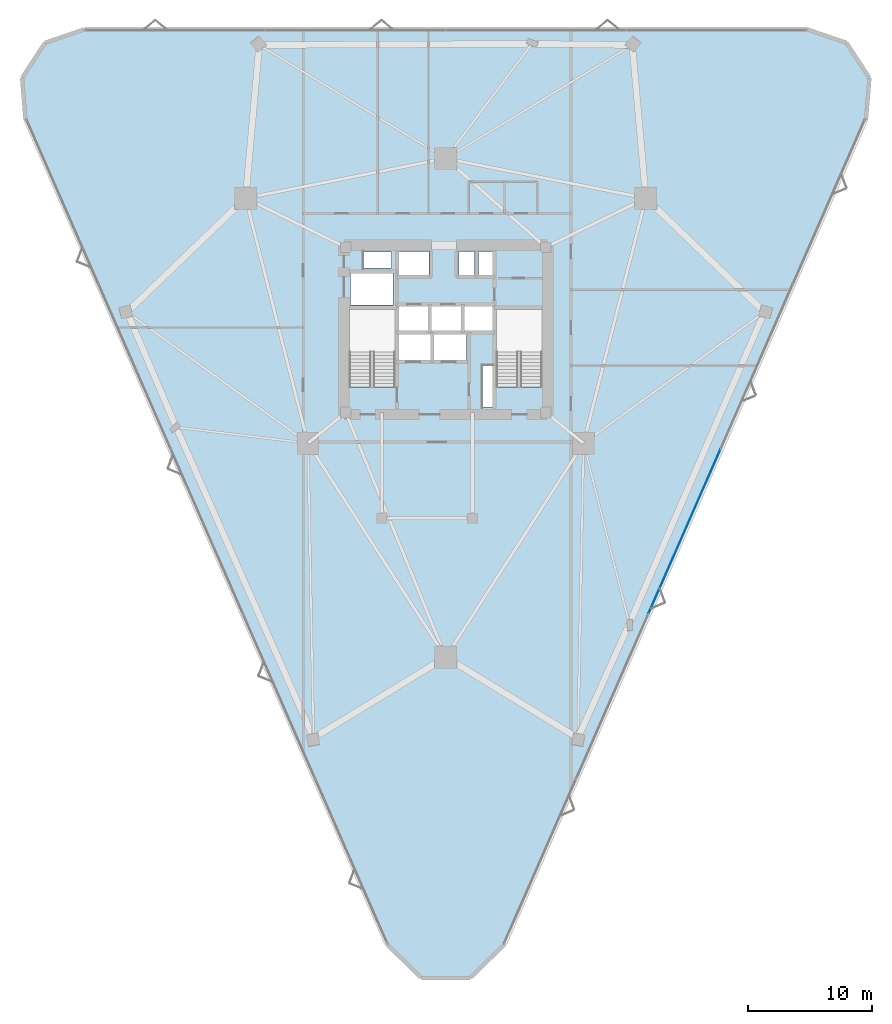
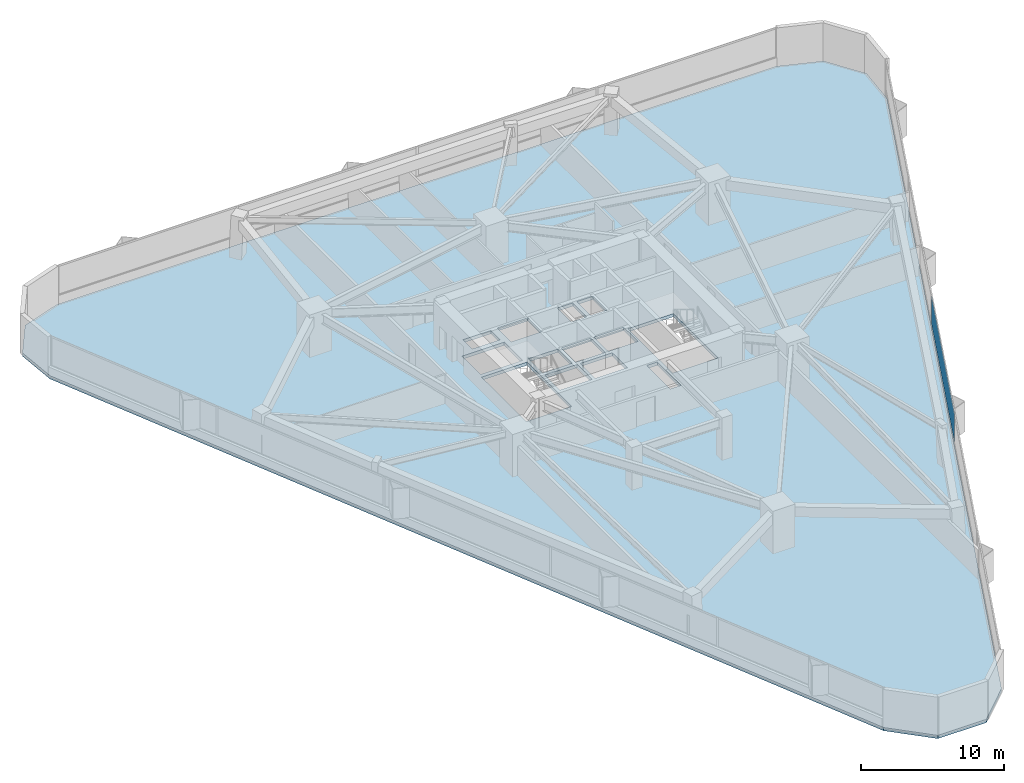
# One storey, part 15 of 20: 1 plate, 1 slab, 1 element without a shape of its own.
"""IFC4 building model written with IfcOpenShell, lengths in metres."""

from ifc_helpers import new_model, si_unit, direction, frame, origin, origin_2d, place, context, subcontext, project, spatial, polyline, rectangle, outline, extrude, material, layer, layer_set, type_object, element, aggregate, save


model = new_model("IFC4")

# Units and contexts
model_context = context("Model", 3, precision=1e-05, world=origin(), true_north=direction((0.0, 1.0)))
body_context = subcontext(model_context, "Body", "Model", "MODEL_VIEW")
ifc_project = project(units=[si_unit("LENGTHUNIT", "METRE"), si_unit("AREAUNIT", "SQUARE_METRE"), si_unit("VOLUMEUNIT", "CUBIC_METRE"), si_unit("PLANEANGLEUNIT", "RADIAN"), si_unit("MASSUNIT", "GRAM", prefix="KILO")], contexts=[model_context])

# Site, building, storey
site_placement = place(None, origin())
site = spatial("IfcSite", under=ifc_project, at=site_placement, CompositionType="ELEMENT")
building_placement = place(site_placement, origin())
building = spatial("IfcBuilding", under=site, at=building_placement, Name="Talyreon Biosciences Tower", CompositionType="ELEMENT")
storey_placement = place(building_placement, frame((0.0, 0.0, 37.39990234375)))
storey = spatial("IfcBuildingStorey", under=building, at=storey_placement, Name="L09", CompositionType="ELEMENT", Elevation=37.39990234375)

# Curtain wall, plate
ifc_material_1 = material(Name="Thermally broken aluminium and low-E glazing", Category="aluminium")
ifc_layer_1 = layer(ifc_material_1, 0.195068359375)
ifc_layer_set_1 = layer_set([ifc_layer_1], Name="Thermally broken aluminium and low-E glazing")
curtain_wall_type = type_object("IfcCurtainWallType", Name="CurtainWall_Zone1WetLab", PredefinedType="NOTDEFINED", material=ifc_layer_set_1)
curtain_wall_placement = place(storey_placement, origin())
curtain_wall = element("IfcCurtainWall", 1, at=curtain_wall_placement, inside=storey, type_object=curtain_wall_type, Name="L09 Unitised Curtain Wall FCW-L09-08", PredefinedType="NOTDEFINED")
ifc_material_2 = material(Name="Triple-silver low-E insulated glazing", Category="glass")
ifc_layer_2 = layer(ifc_material_2, 0.031982421875)
ifc_layer_set_2 = layer_set([ifc_layer_2], Name="Triple-silver low-E insulated glazing")
plate_type = type_object("IfcPlateType", Name="CWGlazingPanel_32", PredefinedType="CURTAIN_PANEL", material=ifc_layer_set_2)
plate_placement = place(storey_placement, frame((85.212890625, 51.777587890625, 0.875), z_axis=(0.0, 0.0, 1.0), x_axis=(-0.401222995321, -0.915980408101, 0.0)))
plate = element("IfcPlate", 2, at=plate_placement, type_object=plate_type, Name="CW2 panel 3.1", PredefinedType="CURTAIN_PANEL", context=body_context, shape_type="SweptSolid", body=[
    extrude(rectangle(XDim=14.413818359375, YDim=0.031982421875, at=origin_2d()), origin(), (0.0, 0.0, 1.0), 2.43505859375),
])
aggregate(curtain_wall, [plate])

# Slab
ifc_material_3 = material(Name="Concrete C40/50", Category="concrete")
ifc_layer_3 = layer(ifc_material_3, 0.27490234375)
ifc_layer_set_3 = layer_set([ifc_layer_3], Name="Concrete C40/50")
slab_type = type_object("IfcSlabType", Name="WetLabFloorSlab_275", PredefinedType="FLOOR", material=ifc_layer_set_3)
slab_placement = place(storey_placement, frame((0.0, 0.0, -0.27490234375)))
element("IfcSlab", 3, at=slab_placement, inside=storey, type_object=slab_type, Name="L09 Structural Floor Slab", PredefinedType="FLOOR", context=body_context, shape_type="SweptSolid", body=[
    extrude(outline(polyline([(61.23681640625, 18.589599609375), (32.19091796875, 84.901123046875), (31.913330078125, 88.265625), (33.760498046875, 91.091552734375), (36.953857421875, 92.1875), (95.046142578125, 92.1875), (98.239501953125, 91.091552734375), (100.086669921875, 88.265625), (99.80908203125, 84.901123046875), (70.76318359375, 18.589599609375), (67.95751953125, 15.858642578125), (64.04248046875, 15.858642578125), (61.23681640625, 18.589599609375)]), holes=[polyline([(61.929931640625, 69.64990234375), (61.929931640625, 63.407958984375), (58.25, 63.407958984375), (58.25, 69.64990234375), (61.929931640625, 69.64990234375)]), polyline([(64.800048828125, 65.550048828125), (62.199951171875, 65.550048828125), (62.199951171875, 67.64990234375), (64.800048828125, 67.64990234375), (64.800048828125, 65.550048828125)]), polyline([(64.60009765625, 67.949951171875), (62.199951171875, 67.949951171875), (62.199951171875, 69.949951171875), (64.60009765625, 69.949951171875), (64.60009765625, 67.949951171875)]), polyline([(67.25, 69.949951171875), (67.25, 67.949951171875), (64.85009765625, 67.949951171875), (64.85009765625, 69.949951171875), (67.25, 69.949951171875)]), polyline([(61.75, 69.97998046875), (58.35009765625, 69.97998046875), (58.35009765625, 72.550048828125), (61.75, 72.550048828125), (61.75, 69.97998046875)]), polyline([(64.64990234375, 72.35009765625), (62.199951171875, 72.35009765625), (62.199951171875, 74.300048828125), (64.64990234375, 74.300048828125), (64.64990234375, 72.35009765625)]), polyline([(61.64990234375, 74.25), (61.64990234375, 72.9599609375), (59.39990234375, 72.9599609375), (59.39990234375, 74.25), (61.64990234375, 74.25)]), polyline([(69.820068359375, 61.800048828125), (68.9599609375, 61.800048828125), (68.9599609375, 65.10009765625), (69.820068359375, 65.10009765625), (69.820068359375, 61.800048828125)]), polyline([(73.75, 63.407958984375), (70.070068359375, 63.407958984375), (70.070068359375, 69.64990234375), (73.75, 69.64990234375), (73.75, 63.407958984375)]), polyline([(67.64990234375, 65.550048828125), (65.050048828125, 65.550048828125), (65.050048828125, 67.64990234375), (67.64990234375, 67.64990234375), (67.64990234375, 65.550048828125)]), polyline([(69.89990234375, 67.949951171875), (67.5, 67.949951171875), (67.5, 69.949951171875), (69.89990234375, 69.949951171875), (69.89990234375, 67.949951171875)]), polyline([(68.300048828125, 72.35009765625), (67.050048828125, 72.35009765625), (67.050048828125, 74.300048828125), (68.300048828125, 74.300048828125), (68.300048828125, 72.35009765625)]), polyline([(69.919921875, 72.35009765625), (68.6201171875, 72.35009765625), (68.6201171875, 74.300048828125), (69.919921875, 74.300048828125), (69.919921875, 72.35009765625)])]), origin(), (0.0, 0.0, 1.0), 0.27490234375),
])

save(model, "model.ifc")
